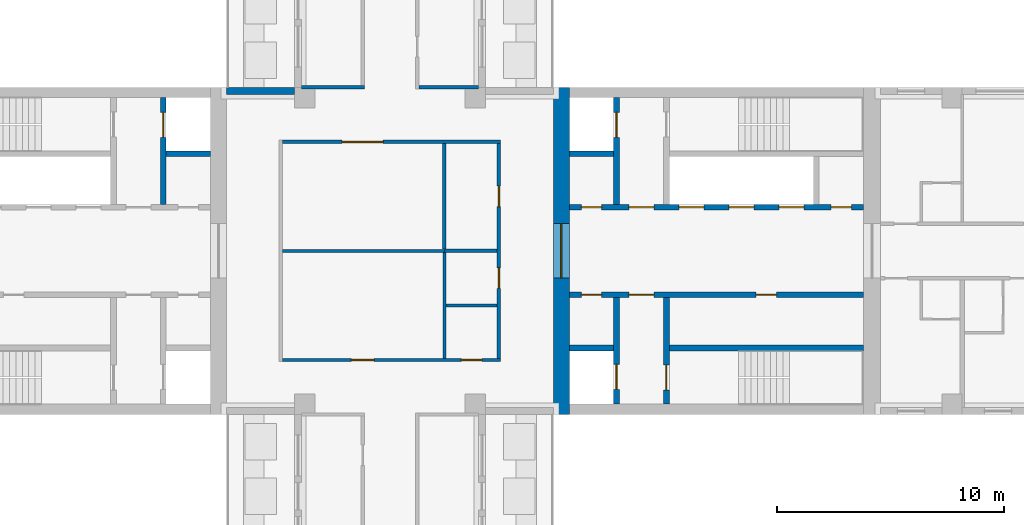
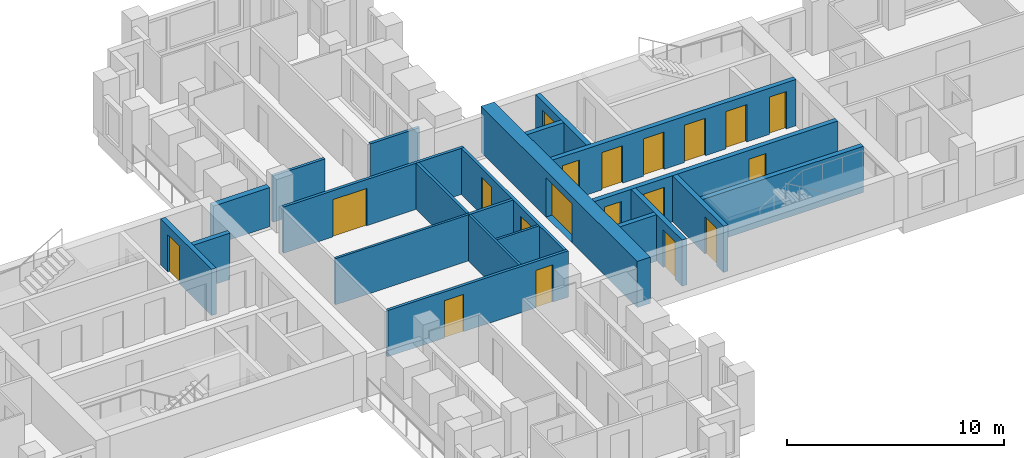
# One storey, part 6 of 12: 22 walls, 19 doors, 19 openings.
"""IFC4 building model written with IfcOpenShell, lengths in metres."""

from ifc_helpers import new_model, si_unit, direction, frame, frame_2d, origin, place, context, subcontext, project, spatial, rectangle, extrude, material, layer, layer_set, type_object, element, fill, save


model = new_model("IFC4")

# Units and contexts
model_context = context("Model", 3, precision=1e-05, world=origin(), true_north=direction((0.0, 1.0)))
body_context = subcontext(model_context, "Body", "Model", "MODEL_VIEW")
ifc_project = project(units=[si_unit("LENGTHUNIT", "METRE"), si_unit("AREAUNIT", "SQUARE_METRE"), si_unit("VOLUMEUNIT", "CUBIC_METRE"), si_unit("PLANEANGLEUNIT", "RADIAN"), si_unit("MASSUNIT", "GRAM", prefix="KILO")], contexts=[model_context])

# Site, building, storey
site_placement = place(None, origin())
site = spatial("IfcSite", under=ifc_project, at=site_placement, CompositionType="ELEMENT")
building_placement = place(site_placement, origin())
building = spatial("IfcBuilding", under=site, at=building_placement, Name="Fustian Cross Tower", CompositionType="ELEMENT")
storey_placement = place(building_placement, frame((0.0, 0.0, 132.300048828125)))
storey = spatial("IfcBuildingStorey", under=building, at=storey_placement, Name="L41", CompositionType="ELEMENT", Elevation=132.300048828125)

# Wall, openings, doors
ifc_material_1 = material(Name="Plasterboard on steel stud", Category="steel")
ifc_layer_1 = layer(ifc_material_1, 0.14990234375)
ifc_layer_set_1 = layer_set([ifc_layer_1], Name="Plasterboard on steel stud")
wall_type_1 = type_object("IfcWallType", Name="COMPARTMENT WALL 150 EI 60", PredefinedType="PARTITIONING", material=ifc_layer_set_1)
wall_1_placement = place(storey_placement, frame((-4.72509765625, -4.800048828125, 0.0), z_axis=(0.0, 0.0, 1.0), x_axis=(1.0, 0.0, 0.0)))
wall_1 = element("IfcWall", 1, at=wall_1_placement, inside=storey, type_object=wall_type_1, Name="Partition 17", PredefinedType="PARTITIONING", context=body_context, shape_type="SweptSolid", body=[
    extrude(rectangle(XDim=9.60009765625, YDim=0.14990234375, at=frame_2d((4.800048828125, 0.0))), origin(), (0.0, 0.0, 1.0), 2.599853515625),
])
opening_1_placement = place(wall_1_placement, frame((7.875, 0.0, 0.0)))
opening_1 = element("IfcOpeningElement", 2, at=opening_1_placement, cuts=wall_1, Name="Opening D19001", PredefinedType="OPENING", context=body_context, shape_type="SweptSolid", body=[
    extrude(rectangle(XDim=0.89990234375, YDim=2.10009765625, at=frame_2d((0.449951171875, 1.050048828125))), frame((0.0, 0.0849609375, 0.0), z_axis=(0.0, -1.0, 0.0), x_axis=(1.0, 0.0, 0.0)), (0.0, 0.0, 1.0), 0.169921875),
])
opening_2_placement = place(wall_1_placement, frame((3.02490234375, 0.0, 0.0)))
opening_2 = element("IfcOpeningElement", 3, at=opening_2_placement, cuts=wall_1, Name="Opening D19004", PredefinedType="OPENING", context=body_context, shape_type="SweptSolid", body=[
    extrude(rectangle(XDim=1.0, YDim=2.10009765625, at=frame_2d((0.5, 1.050048828125))), frame((0.0, 0.0849609375, 0.0), z_axis=(0.0, -1.0, 0.0), x_axis=(1.0, 0.0, 0.0)), (0.0, 0.0, 1.0), 0.169921875),
])
ifc_material_2 = material(Name="Timber fire door set", Category="wood")
door_type_1 = type_object("IfcDoorType", Name="FIRE SWING DOOR 1000 FD30S", OperationType="SINGLE_SWING_LEFT", PredefinedType="DOOR", material=ifc_material_2)
door_1_placement = place(opening_2_placement, origin())
door_1 = element("IfcDoor", 4, at=door_1_placement, inside=storey, type_object=door_type_1, Name="Door D19004", OperationType="SINGLE_SWING_LEFT", OverallHeight=2.10009765625, OverallWidth=1.0, PredefinedType="DOOR", context=body_context, shape_type="SweptSolid", body=[
    extrude(rectangle(XDim=1.0, YDim=2.10009765625, at=frame_2d((0.5, 1.050048828125))), frame((0.0, 0.02490234375, 0.0), z_axis=(0.0, -1.0, 0.0), x_axis=(1.0, 0.0, 0.0)), (0.0, 0.0, 1.0), 0.050048828125),
])
fill(opening_2, door_1)
ifc_material_3 = material(Name="Timber fire door set", Category="wood")
door_type_2 = type_object("IfcDoorType", Name="FIRE SWING DOOR 900 FD30S", OperationType="SINGLE_SWING_LEFT", PredefinedType="DOOR", material=ifc_material_3)
door_2_placement = place(opening_1_placement, origin())
door_2 = element("IfcDoor", 5, at=door_2_placement, inside=storey, type_object=door_type_2, Name="Door D19001", OperationType="SINGLE_SWING_LEFT", OverallHeight=2.10009765625, OverallWidth=0.89990234375, PredefinedType="DOOR", context=body_context, shape_type="SweptSolid", body=[
    extrude(rectangle(XDim=0.89990234375, YDim=2.10009765625, at=frame_2d((0.449951171875, 1.050048828125))), frame((0.0, 0.02490234375, 0.0), z_axis=(0.0, -1.0, 0.0), x_axis=(1.0, 0.0, 0.0)), (0.0, 0.0, 1.0), 0.050048828125),
])
fill(opening_1, door_2)

# Wall, opening, door
wall_2_placement = place(storey_placement, frame((-4.72509765625, 4.800048828125, 0.0), z_axis=(0.0, 0.0, 1.0), x_axis=(1.0, 0.0, 0.0)))
wall_2 = element("IfcWall", 6, at=wall_2_placement, inside=storey, type_object=wall_type_1, Name="Partition 19", PredefinedType="PARTITIONING", context=body_context, shape_type="SweptSolid", body=[
    extrude(rectangle(XDim=9.60009765625, YDim=0.14990234375, at=frame_2d((4.800048828125, 0.0))), origin(), (0.0, 0.0, 1.0), 2.599853515625),
])
opening_3_placement = place(wall_2_placement, frame((2.625, 0.0, 0.0)))
opening_3 = element("IfcOpeningElement", 7, at=opening_3_placement, cuts=wall_2, Name="Opening D19005", PredefinedType="OPENING", context=body_context, shape_type="SweptSolid", body=[
    extrude(rectangle(XDim=1.800048828125, YDim=2.10009765625, at=frame_2d((0.89990234375, 1.050048828125))), frame((0.0, 0.0849609375, 0.0), z_axis=(0.0, -1.0, 0.0), x_axis=(1.0, 0.0, 0.0)), (0.0, 0.0, 1.0), 0.169921875),
])
ifc_material_4 = material(Name="Timber fire door set", Category="wood")
door_type_3 = type_object("IfcDoorType", Name="FIRE DOUBLE DOOR 1800 FD30S", OperationType="DOUBLE_DOOR_DOUBLE_SWING", PredefinedType="DOOR", material=ifc_material_4)
door_3_placement = place(opening_3_placement, origin())
door_3 = element("IfcDoor", 8, at=door_3_placement, inside=storey, type_object=door_type_3, Name="Door D19005", OperationType="DOUBLE_DOOR_DOUBLE_SWING", OverallHeight=2.10009765625, OverallWidth=1.800048828125, PredefinedType="DOOR", context=body_context, shape_type="SweptSolid", body=[
    extrude(rectangle(XDim=1.800048828125, YDim=2.10009765625, at=frame_2d((0.89990234375, 1.050048828125))), frame((0.0, 0.02490234375, 0.0), z_axis=(0.0, -1.0, 0.0), x_axis=(1.0, 0.0, 0.0)), (0.0, 0.0, 1.0), 0.050048828125),
])
fill(opening_3, door_3)

# Walls
wall_3_placement = place(storey_placement, frame((-3.89990234375, 7.199951171875, 0.0), z_axis=(0.0, 0.0, 1.0), x_axis=(1.0, 0.0, 0.0)))
element("IfcWall", 9, at=wall_3_placement, inside=storey, type_object=wall_type_1, Name="Partition 22", PredefinedType="PARTITIONING", context=body_context, shape_type="SweptSolid", body=[
    extrude(rectangle(XDim=2.77490234375, YDim=0.14990234375, at=frame_2d((1.387451171875, 0.0))), origin(), (0.0, 0.0, 1.0), 2.599853515625),
])
wall_4_placement = place(storey_placement, frame((1.27490234375, 7.199951171875, 0.0), z_axis=(0.0, 0.0, 1.0), x_axis=(1.0, 0.0, 0.0)))
element("IfcWall", 10, at=wall_4_placement, inside=storey, type_object=wall_type_1, Name="Partition 39", PredefinedType="PARTITIONING", context=body_context, shape_type="SweptSolid", body=[
    extrude(rectangle(XDim=2.625, YDim=0.14990234375, at=frame_2d((1.3125, 0.0))), origin(), (0.0, 0.0, 1.0), 2.599853515625),
])
wall_5_placement = place(storey_placement, frame((2.39990234375, 0.074951171875, 0.0), z_axis=(0.0, 0.0, 1.0), x_axis=(0.0, 1.0, 0.0)))
element("IfcWall", 11, at=wall_5_placement, inside=storey, type_object=wall_type_1, Name="Partition 44", PredefinedType="PARTITIONING", context=body_context, shape_type="SweptSolid", body=[
    extrude(rectangle(XDim=4.650146484375, YDim=0.14990234375, at=frame_2d((2.3251953125, 0.0))), origin(), (0.0, 0.0, 1.0), 2.599853515625),
])
wall_6_placement = place(storey_placement, frame((2.39990234375, 0.0, 0.0), z_axis=(0.0, 0.0, 1.0), x_axis=(1.0, 0.0, 0.0)))
element("IfcWall", 12, at=wall_6_placement, inside=storey, type_object=wall_type_1, Name="Partition 45", PredefinedType="PARTITIONING", context=body_context, shape_type="SweptSolid", body=[
    extrude(rectangle(XDim=2.3251953125, YDim=0.14990234375, at=frame_2d((1.16259765625, 0.0))), origin(), (0.0, 0.0, 1.0), 2.599853515625),
])

# Wall, openings, doors
wall_7_placement = place(storey_placement, frame((4.800048828125, -4.72509765625, 0.0), z_axis=(0.0, 0.0, 1.0), x_axis=(0.0, 1.0, 0.0)))
wall_7 = element("IfcWall", 13, at=wall_7_placement, inside=storey, type_object=wall_type_1, Name="Partition 48", PredefinedType="PARTITIONING", context=body_context, shape_type="SweptSolid", body=[
    extrude(rectangle(XDim=9.4501953125, YDim=0.14990234375, at=frame_2d((4.72509765625, 0.0))), origin(), (0.0, 0.0, 1.0), 2.599853515625),
])
opening_4_placement = place(wall_7_placement, frame((3.074951171875, 0.0, 0.0)))
opening_4 = element("IfcOpeningElement", 14, at=opening_4_placement, cuts=wall_7, Name="Opening D19002", PredefinedType="OPENING", context=body_context, shape_type="SweptSolid", body=[
    extrude(rectangle(XDim=0.89990234375, YDim=2.10009765625, at=frame_2d((0.449951171875, 1.050048828125))), frame((0.0, 0.0849609375, 0.0), z_axis=(0.0, -1.0, 0.0), x_axis=(1.0, 0.0, 0.0)), (0.0, 0.0, 1.0), 0.169921875),
])
opening_5_placement = place(wall_7_placement, frame((6.675048828125, 0.0, 0.0)))
opening_5 = element("IfcOpeningElement", 15, at=opening_5_placement, cuts=wall_7, Name="Opening D19003", PredefinedType="OPENING", context=body_context, shape_type="SweptSolid", body=[
    extrude(rectangle(XDim=0.89990234375, YDim=2.10009765625, at=frame_2d((0.449951171875, 1.050048828125))), frame((0.0, 0.0849609375, 0.0), z_axis=(0.0, -1.0, 0.0), x_axis=(1.0, 0.0, 0.0)), (0.0, 0.0, 1.0), 0.169921875),
])
door_4_placement = place(opening_4_placement, origin())
door_4 = element("IfcDoor", 16, at=door_4_placement, inside=storey, type_object=door_type_2, Name="Door D19002", OperationType="SINGLE_SWING_LEFT", OverallHeight=2.10009765625, OverallWidth=0.89990234375, PredefinedType="DOOR", context=body_context, shape_type="SweptSolid", body=[
    extrude(rectangle(XDim=0.89990234375, YDim=2.10009765625, at=frame_2d((0.449951171875, 1.050048828125))), frame((0.0, 0.02490234375, 0.0), z_axis=(0.0, -1.0, 0.0), x_axis=(1.0, 0.0, 0.0)), (0.0, 0.0, 1.0), 0.050048828125),
])
fill(opening_4, door_4)
door_5_placement = place(opening_5_placement, origin())
door_5 = element("IfcDoor", 17, at=door_5_placement, inside=storey, type_object=door_type_2, Name="Door D19003", OperationType="SINGLE_SWING_LEFT", OverallHeight=2.10009765625, OverallWidth=0.89990234375, PredefinedType="DOOR", context=body_context, shape_type="SweptSolid", body=[
    extrude(rectangle(XDim=0.89990234375, YDim=2.10009765625, at=frame_2d((0.449951171875, 1.050048828125))), frame((0.0, 0.02490234375, 0.0), z_axis=(0.0, -1.0, 0.0), x_axis=(1.0, 0.0, 0.0)), (0.0, 0.0, 1.0), 0.050048828125),
])
fill(opening_5, door_5)

# Wall, opening, door
ifc_material_5 = material(Name="Concrete C60/75", Category="concrete")
ifc_layer_2 = layer(ifc_material_5, 0.699951171875)
ifc_layer_set_2 = layer_set([ifc_layer_2], Name="Concrete C60/75")
wall_type_2 = type_object("IfcWallType", Name="CORE END WALL 700 C60/75", PredefinedType="SHEAR", material=ifc_layer_set_2)
wall_8_placement = place(storey_placement, frame((7.550048828125, -7.199951171875, 0.0), z_axis=(0.0, 0.0, 1.0), x_axis=(0.0, 1.0, 0.0)))
wall_8 = element("IfcWall", 18, at=wall_8_placement, inside=storey, type_object=wall_type_2, Name="Core end wall", PredefinedType="SHEAR", context=body_context, shape_type="SweptSolid", body=[
    extrude(rectangle(XDim=14.39990234375, YDim=0.699951171875, at=frame_2d((7.199951171875, 0.0))), origin(), (0.0, 0.0, 1.0), 2.599853515625),
])
opening_6_placement = place(wall_8_placement, frame((6.0, 0.0, 0.0)))
opening_6 = element("IfcOpeningElement", 19, at=opening_6_placement, cuts=wall_8, Name="Opening CD-17-12", PredefinedType="OPENING", context=body_context, shape_type="SweptSolid", body=[
    extrude(rectangle(XDim=2.39990234375, YDim=2.199951171875, at=frame_2d((1.199951171875, 1.10009765625))), frame((0.0, 0.35986328125, 0.0), z_axis=(0.0, -1.0, 0.0), x_axis=(1.0, 0.0, 0.0)), (0.0, 0.0, 1.0), 0.719970703125),
])
ifc_material_6 = material(Name="Steel", Category="steel")
door_type_4 = type_object("IfcDoorType", Name="FIRE DOOR FD30S DOUBLE 2400X2200", OperationType="DOUBLE_DOOR_DOUBLE_SWING", PredefinedType="DOOR", material=ifc_material_6)
door_6_placement = place(opening_6_placement, origin())
door_6 = element("IfcDoor", 20, at=door_6_placement, inside=storey, type_object=door_type_4, Name="Core door CD-17-12", OperationType="DOUBLE_DOOR_DOUBLE_SWING", OverallHeight=2.199951171875, OverallWidth=2.39990234375, PredefinedType="DOOR", context=body_context, shape_type="SweptSolid", body=[
    extrude(rectangle(XDim=2.39990234375, YDim=2.199951171875, at=frame_2d((1.199951171875, 1.10009765625))), frame((0.0, 0.02490234375, 0.0), z_axis=(0.0, -1.0, 0.0), x_axis=(1.0, 0.0, 0.0)), (0.0, 0.0, 1.0), 0.050048828125),
])
fill(opening_6, door_6)

# Wall, openings, doors
ifc_material_7 = material(Name="Concrete C50/60", Category="concrete")
ifc_layer_3 = layer(ifc_material_7, 0.25)
ifc_layer_set_3 = layer_set([ifc_layer_3], Name="Concrete C50/60")
wall_type_3 = type_object("IfcWallType", Name="CORE LOBBY WALL 250 C50/60", PredefinedType="SHEAR", material=ifc_layer_set_3)
wall_9_placement = place(storey_placement, frame((7.89990234375, 1.925048828125, 0.0), z_axis=(0.0, 0.0, 1.0), x_axis=(1.0, 0.0, 0.0)))
wall_9 = element("IfcWall", 21, at=wall_9_placement, inside=storey, type_object=wall_type_3, Name="Core lobby wall", PredefinedType="SHEAR", context=body_context, shape_type="SweptSolid", body=[
    extrude(rectangle(XDim=12.9501953125, YDim=0.25, at=frame_2d((6.47509765625, 0.0))), origin(), (0.0, 0.0, 1.0), 2.599853515625),
])
opening_7_placement = place(wall_9_placement, frame((4.824951171875, 0.0, 0.0)))
opening_7 = element("IfcOpeningElement", 22, at=opening_7_placement, cuts=wall_9, Name="Opening LD", PredefinedType="OPENING", context=body_context, shape_type="SweptSolid", body=[
    extrude(rectangle(XDim=1.10009765625, YDim=2.10009765625, at=frame_2d((0.550048828125, 1.050048828125))), frame((0.0, 0.135009765625, 0.0), z_axis=(0.0, -1.0, 0.0), x_axis=(1.0, 0.0, 0.0)), (0.0, 0.0, 1.0), 0.27001953125),
])
opening_8_placement = place(wall_9_placement, frame((7.02490234375, 0.0, 0.0)))
opening_8 = element("IfcOpeningElement", 23, at=opening_8_placement, cuts=wall_9, Name="Opening LD", PredefinedType="OPENING", context=body_context, shape_type="SweptSolid", body=[
    extrude(rectangle(XDim=1.10009765625, YDim=2.10009765625, at=frame_2d((0.550048828125, 1.050048828125))), frame((0.0, 0.135009765625, 0.0), z_axis=(0.0, -1.0, 0.0), x_axis=(1.0, 0.0, 0.0)), (0.0, 0.0, 1.0), 0.27001953125),
])
opening_9_placement = place(wall_9_placement, frame((9.22509765625, 0.0, 0.0)))
opening_9 = element("IfcOpeningElement", 24, at=opening_9_placement, cuts=wall_9, Name="Opening LD", PredefinedType="OPENING", context=body_context, shape_type="SweptSolid", body=[
    extrude(rectangle(XDim=1.10009765625, YDim=2.10009765625, at=frame_2d((0.550048828125, 1.050048828125))), frame((0.0, 0.135009765625, 0.0), z_axis=(0.0, -1.0, 0.0), x_axis=(1.0, 0.0, 0.0)), (0.0, 0.0, 1.0), 0.27001953125),
])
opening_10_placement = place(wall_9_placement, frame((0.52490234375, 0.0, 0.0)))
opening_10 = element("IfcOpeningElement", 25, at=opening_10_placement, cuts=wall_9, Name="Opening CD-17-08", PredefinedType="OPENING", context=body_context, shape_type="SweptSolid", body=[
    extrude(rectangle(XDim=0.89990234375, YDim=2.10009765625, at=frame_2d((0.449951171875, 1.050048828125))), frame((0.0, 0.135009765625, 0.0), z_axis=(0.0, -1.0, 0.0), x_axis=(1.0, 0.0, 0.0)), (0.0, 0.0, 1.0), 0.27001953125),
])
opening_11_placement = place(wall_9_placement, frame((2.625, 0.0, 0.0)))
opening_11 = element("IfcOpeningElement", 26, at=opening_11_placement, cuts=wall_9, Name="Opening CD-17-10", PredefinedType="OPENING", context=body_context, shape_type="SweptSolid", body=[
    extrude(rectangle(XDim=1.10009765625, YDim=2.10009765625, at=frame_2d((0.550048828125, 1.050048828125))), frame((0.0, 0.135009765625, 0.0), z_axis=(0.0, -1.0, 0.0), x_axis=(1.0, 0.0, 0.0)), (0.0, 0.0, 1.0), 0.27001953125),
])
opening_12_placement = place(wall_9_placement, frame((11.52490234375, 0.0, 0.0)))
opening_12 = element("IfcOpeningElement", 27, at=opening_12_placement, cuts=wall_9, Name="Opening CD-17-14", PredefinedType="OPENING", context=body_context, shape_type="SweptSolid", body=[
    extrude(rectangle(XDim=0.89990234375, YDim=2.10009765625, at=frame_2d((0.449951171875, 1.050048828125))), frame((0.0, 0.135009765625, 0.0), z_axis=(0.0, -1.0, 0.0), x_axis=(1.0, 0.0, 0.0)), (0.0, 0.0, 1.0), 0.27001953125),
])
ifc_material_8 = material(Name="Steel", Category="steel")
door_type_5 = type_object("IfcDoorType", Name="FIRE DOOR FD30S 900X2100", OperationType="SINGLE_SWING_LEFT", PredefinedType="DOOR", material=ifc_material_8)
door_7_placement = place(opening_12_placement, origin())
door_7 = element("IfcDoor", 28, at=door_7_placement, inside=storey, type_object=door_type_5, Name="Core door CD-17-14", OperationType="SINGLE_SWING_LEFT", OverallHeight=2.10009765625, OverallWidth=0.89990234375, PredefinedType="DOOR", context=body_context, shape_type="SweptSolid", body=[
    extrude(rectangle(XDim=0.89990234375, YDim=2.10009765625, at=frame_2d((0.449951171875, 1.050048828125))), frame((0.0, 0.02490234375, 0.0), z_axis=(0.0, -1.0, 0.0), x_axis=(1.0, 0.0, 0.0)), (0.0, 0.0, 1.0), 0.050048828125),
])
fill(opening_12, door_7)
ifc_material_9 = material(Name="Steel", Category="steel")
door_type_6 = type_object("IfcDoorType", Name="FIRE DOOR FD60S 1100X2100", OperationType="SINGLE_SWING_LEFT", PredefinedType="DOOR", material=ifc_material_9)
door_8_placement = place(opening_11_placement, frame((1.10009765625, 0.0, 0.0), z_axis=(0.0, 0.0, 1.0), x_axis=(-1.0, 0.0, 0.0)))
door_8 = element("IfcDoor", 29, at=door_8_placement, inside=storey, type_object=door_type_6, Name="Core door CD-17-10", OperationType="SINGLE_SWING_RIGHT", OverallHeight=2.10009765625, OverallWidth=1.10009765625, PredefinedType="DOOR", context=body_context, shape_type="SweptSolid", body=[
    extrude(rectangle(XDim=1.10009765625, YDim=2.10009765625, at=frame_2d((0.550048828125, 1.050048828125))), frame((0.0, 0.02490234375, 0.0), z_axis=(0.0, -1.0, 0.0), x_axis=(1.0, 0.0, 0.0)), (0.0, 0.0, 1.0), 0.050048828125),
])
fill(opening_11, door_8)
ifc_material_10 = material(Name="Steel", Category="steel")
door_type_7 = type_object("IfcDoorType", Name="FIRE DOOR FD60S 900X2100", OperationType="SINGLE_SWING_LEFT", PredefinedType="DOOR", material=ifc_material_10)
door_9_placement = place(opening_10_placement, origin())
door_9 = element("IfcDoor", 30, at=door_9_placement, inside=storey, type_object=door_type_7, Name="Core door CD-17-08", OperationType="SINGLE_SWING_LEFT", OverallHeight=2.10009765625, OverallWidth=0.89990234375, PredefinedType="DOOR", context=body_context, shape_type="SweptSolid", body=[
    extrude(rectangle(XDim=0.89990234375, YDim=2.10009765625, at=frame_2d((0.449951171875, 1.050048828125))), frame((0.0, 0.02490234375, 0.0), z_axis=(0.0, -1.0, 0.0), x_axis=(1.0, 0.0, 0.0)), (0.0, 0.0, 1.0), 0.050048828125),
])
fill(opening_10, door_9)
ifc_material_11 = material(Name="Stainless steel", Category="steel")
door_type_8 = type_object("IfcDoorType", Name="LIFT LANDING DOOR 1100X2100", OperationType="SLIDING_TO_LEFT", PredefinedType="DOOR", material=ifc_material_11)
door_10_placement = place(opening_7_placement, origin())
door_10 = element("IfcDoor", 31, at=door_10_placement, inside=storey, type_object=door_type_8, Name="Landing door HR1", OperationType="SLIDING_TO_LEFT", OverallHeight=2.10009765625, OverallWidth=1.10009765625, PredefinedType="DOOR", context=body_context, shape_type="SweptSolid", body=[
    extrude(rectangle(XDim=1.10009765625, YDim=2.10009765625, at=frame_2d((0.550048828125, 1.050048828125))), frame((0.0, 0.02490234375, 0.0), z_axis=(0.0, -1.0, 0.0), x_axis=(1.0, 0.0, 0.0)), (0.0, 0.0, 1.0), 0.050048828125),
])
fill(opening_7, door_10)
door_11_placement = place(opening_8_placement, origin())
door_11 = element("IfcDoor", 32, at=door_11_placement, inside=storey, type_object=door_type_8, Name="Landing door HR2", OperationType="SLIDING_TO_LEFT", OverallHeight=2.10009765625, OverallWidth=1.10009765625, PredefinedType="DOOR", context=body_context, shape_type="SweptSolid", body=[
    extrude(rectangle(XDim=1.10009765625, YDim=2.10009765625, at=frame_2d((0.550048828125, 1.050048828125))), frame((0.0, 0.02490234375, 0.0), z_axis=(0.0, -1.0, 0.0), x_axis=(1.0, 0.0, 0.0)), (0.0, 0.0, 1.0), 0.050048828125),
])
fill(opening_8, door_11)
door_12_placement = place(opening_9_placement, origin())
door_12 = element("IfcDoor", 33, at=door_12_placement, inside=storey, type_object=door_type_8, Name="Landing door HR3", OperationType="SLIDING_TO_LEFT", OverallHeight=2.10009765625, OverallWidth=1.10009765625, PredefinedType="DOOR", context=body_context, shape_type="SweptSolid", body=[
    extrude(rectangle(XDim=1.10009765625, YDim=2.10009765625, at=frame_2d((0.550048828125, 1.050048828125))), frame((0.0, 0.02490234375, 0.0), z_axis=(0.0, -1.0, 0.0), x_axis=(1.0, 0.0, 0.0)), (0.0, 0.0, 1.0), 0.050048828125),
])
fill(opening_9, door_12)

wall_10_placement = place(storey_placement, frame((7.89990234375, -1.925048828125, 0.0), z_axis=(0.0, 0.0, 1.0), x_axis=(1.0, 0.0, 0.0)))
wall_10 = element("IfcWall", 34, at=wall_10_placement, inside=storey, type_object=wall_type_3, Name="Core lobby wall", PredefinedType="SHEAR", context=body_context, shape_type="SweptSolid", body=[
    extrude(rectangle(XDim=12.9501953125, YDim=0.25, at=frame_2d((6.47509765625, 0.0))), origin(), (0.0, 0.0, 1.0), 2.599853515625),
])
opening_13_placement = place(wall_10_placement, frame((0.52490234375, 0.0, 0.0)))
opening_13 = element("IfcOpeningElement", 35, at=opening_13_placement, cuts=wall_10, Name="Opening CD-17-09", PredefinedType="OPENING", context=body_context, shape_type="SweptSolid", body=[
    extrude(rectangle(XDim=0.89990234375, YDim=2.10009765625, at=frame_2d((0.449951171875, 1.050048828125))), frame((0.0, 0.135009765625, 0.0), z_axis=(0.0, -1.0, 0.0), x_axis=(1.0, 0.0, 0.0)), (0.0, 0.0, 1.0), 0.27001953125),
])
opening_14_placement = place(wall_10_placement, frame((2.625, 0.0, 0.0)))
opening_14 = element("IfcOpeningElement", 36, at=opening_14_placement, cuts=wall_10, Name="Opening CD-17-11", PredefinedType="OPENING", context=body_context, shape_type="SweptSolid", body=[
    extrude(rectangle(XDim=1.10009765625, YDim=2.10009765625, at=frame_2d((0.550048828125, 1.050048828125))), frame((0.0, 0.135009765625, 0.0), z_axis=(0.0, -1.0, 0.0), x_axis=(1.0, 0.0, 0.0)), (0.0, 0.0, 1.0), 0.27001953125),
])
opening_15_placement = place(wall_10_placement, frame((8.22509765625, 0.0, 0.0)))
opening_15 = element("IfcOpeningElement", 37, at=opening_15_placement, cuts=wall_10, Name="Opening CD-17-15", PredefinedType="OPENING", context=body_context, shape_type="SweptSolid", body=[
    extrude(rectangle(XDim=0.89990234375, YDim=2.10009765625, at=frame_2d((0.449951171875, 1.050048828125))), frame((0.0, 0.135009765625, 0.0), z_axis=(0.0, -1.0, 0.0), x_axis=(1.0, 0.0, 0.0)), (0.0, 0.0, 1.0), 0.27001953125),
])
ifc_material_12 = material(Name="Steel", Category="steel")
door_type_9 = type_object("IfcDoorType", Name="FIRE DOOR FD30S 1100X2100", OperationType="SINGLE_SWING_LEFT", PredefinedType="DOOR", material=ifc_material_12)
door_13_placement = place(opening_14_placement, frame((1.10009765625, 0.0, 0.0), z_axis=(0.0, 0.0, 1.0), x_axis=(-1.0, 0.0, 0.0)))
door_13 = element("IfcDoor", 38, at=door_13_placement, inside=storey, type_object=door_type_9, Name="Core door CD-17-11", OperationType="SINGLE_SWING_RIGHT", OverallHeight=2.10009765625, OverallWidth=1.10009765625, PredefinedType="DOOR", context=body_context, shape_type="SweptSolid", body=[
    extrude(rectangle(XDim=1.10009765625, YDim=2.10009765625, at=frame_2d((0.550048828125, 1.050048828125))), frame((0.0, 0.02490234375, 0.0), z_axis=(0.0, -1.0, 0.0), x_axis=(1.0, 0.0, 0.0)), (0.0, 0.0, 1.0), 0.050048828125),
])
fill(opening_14, door_13)
door_14_placement = place(opening_13_placement, frame((0.89990234375, 0.0, 0.0), z_axis=(0.0, 0.0, 1.0), x_axis=(-1.0, 0.0, 0.0)))
door_14 = element("IfcDoor", 39, at=door_14_placement, inside=storey, type_object=door_type_5, Name="Core door CD-17-09", OperationType="SINGLE_SWING_RIGHT", OverallHeight=2.10009765625, OverallWidth=0.89990234375, PredefinedType="DOOR", context=body_context, shape_type="SweptSolid", body=[
    extrude(rectangle(XDim=0.89990234375, YDim=2.10009765625, at=frame_2d((0.449951171875, 1.050048828125))), frame((0.0, 0.02490234375, 0.0), z_axis=(0.0, -1.0, 0.0), x_axis=(1.0, 0.0, 0.0)), (0.0, 0.0, 1.0), 0.050048828125),
])
fill(opening_13, door_14)
door_15_placement = place(opening_15_placement, frame((0.89990234375, 0.0, 0.0), z_axis=(0.0, 0.0, 1.0), x_axis=(-1.0, 0.0, 0.0)))
door_15 = element("IfcDoor", 40, at=door_15_placement, inside=storey, type_object=door_type_5, Name="Core door CD-17-15", OperationType="SINGLE_SWING_LEFT", OverallHeight=2.10009765625, OverallWidth=0.89990234375, PredefinedType="DOOR", context=body_context, shape_type="SweptSolid", body=[
    extrude(rectangle(XDim=0.89990234375, YDim=2.10009765625, at=frame_2d((0.449951171875, 1.050048828125))), frame((0.0, 0.02490234375, 0.0), z_axis=(0.0, -1.0, 0.0), x_axis=(1.0, 0.0, 0.0)), (0.0, 0.0, 1.0), 0.050048828125),
])
fill(opening_15, door_15)

# Wall
ifc_material_13 = material(Name="Concrete C50/60", Category="concrete")
ifc_layer_4 = layer(ifc_material_13, 0.25)
ifc_layer_set_4 = layer_set([ifc_layer_4], Name="Concrete C50/60")
wall_type_4 = type_object("IfcWallType", Name="CORE SHAFT WALL 250 C50/60", PredefinedType="SHEAR", material=ifc_layer_set_4)
wall_11_placement = place(storey_placement, frame((7.89990234375, 4.27490234375, 0.0), z_axis=(0.0, 0.0, 1.0), x_axis=(1.0, 0.0, 0.0)))
element("IfcWall", 41, at=wall_11_placement, inside=storey, type_object=wall_type_4, Name="Core shaft wall", PredefinedType="SHEAR", context=body_context, shape_type="SweptSolid", body=[
    extrude(rectangle(XDim=1.9501953125, YDim=0.25, at=frame_2d((0.97509765625, 0.0))), origin(), (0.0, 0.0, 1.0), 2.599853515625),
])

# Wall, opening, door
wall_12_placement = place(storey_placement, frame((9.97509765625, 2.050048828125, 0.0), z_axis=(0.0, 0.0, 1.0), x_axis=(0.0, 1.0, 0.0)))
wall_12 = element("IfcWall", 42, at=wall_12_placement, inside=storey, type_object=wall_type_4, Name="Core shaft wall", PredefinedType="SHEAR", context=body_context, shape_type="SweptSolid", body=[
    extrude(rectangle(XDim=4.699951171875, YDim=0.25, at=frame_2d((2.35009765625, 0.0))), origin(), (0.0, 0.0, 1.0), 2.599853515625),
])
opening_16_placement = place(wall_12_placement, frame((2.949951171875, 0.0, 0.0)))
opening_16 = element("IfcOpeningElement", 43, at=opening_16_placement, cuts=wall_12, Name="Opening LD", PredefinedType="OPENING", context=body_context, shape_type="SweptSolid", body=[
    extrude(rectangle(XDim=1.10009765625, YDim=2.10009765625, at=frame_2d((0.550048828125, 1.050048828125))), frame((0.0, 0.135009765625, 0.0), z_axis=(0.0, -1.0, 0.0), x_axis=(1.0, 0.0, 0.0)), (0.0, 0.0, 1.0), 0.27001953125),
])
door_16_placement = place(opening_16_placement, origin())
door_16 = element("IfcDoor", 44, at=door_16_placement, inside=storey, type_object=door_type_8, Name="Landing door FL1", OperationType="SLIDING_TO_LEFT", OverallHeight=2.10009765625, OverallWidth=1.10009765625, PredefinedType="DOOR", context=body_context, shape_type="SweptSolid", body=[
    extrude(rectangle(XDim=1.10009765625, YDim=2.10009765625, at=frame_2d((0.550048828125, 1.050048828125))), frame((0.0, 0.02490234375, 0.0), z_axis=(0.0, -1.0, 0.0), x_axis=(1.0, 0.0, 0.0)), (0.0, 0.0, 1.0), 0.050048828125),
])
fill(opening_16, door_16)

# Walls
wall_13_placement = place(storey_placement, frame((7.89990234375, -4.27490234375, 0.0), z_axis=(0.0, 0.0, 1.0), x_axis=(1.0, 0.0, 0.0)))
element("IfcWall", 45, at=wall_13_placement, inside=storey, type_object=wall_type_4, Name="Core shaft wall", PredefinedType="SHEAR", context=body_context, shape_type="SweptSolid", body=[
    extrude(rectangle(XDim=1.9501953125, YDim=0.25, at=frame_2d((0.97509765625, 0.0))), origin(), (0.0, 0.0, 1.0), 2.599853515625),
])
wall_14_placement = place(storey_placement, frame((12.300048828125, -4.27490234375, 0.0), z_axis=(0.0, 0.0, 1.0), x_axis=(1.0, 0.0, 0.0)))
element("IfcWall", 46, at=wall_14_placement, inside=storey, type_object=wall_type_4, Name="Core shaft wall", PredefinedType="SHEAR", context=body_context, shape_type="SweptSolid", body=[
    extrude(rectangle(XDim=8.550048828125, YDim=0.25, at=frame_2d((4.27490234375, 0.0))), origin(), (0.0, 0.0, 1.0), 2.599853515625),
])

# Wall, opening, door
wall_15_placement = place(storey_placement, frame((9.97509765625, -2.050048828125, 0.0), z_axis=(0.0, 0.0, 1.0), x_axis=(0.0, -1.0, 0.0)))
wall_15 = element("IfcWall", 47, at=wall_15_placement, inside=storey, type_object=wall_type_4, Name="Core shaft wall", PredefinedType="SHEAR", context=body_context, shape_type="SweptSolid", body=[
    extrude(rectangle(XDim=4.699951171875, YDim=0.25, at=frame_2d((2.35009765625, 0.0))), origin(), (0.0, 0.0, 1.0), 2.599853515625),
])
opening_17_placement = place(wall_15_placement, frame((2.949951171875, 0.0, 0.0)))
opening_17 = element("IfcOpeningElement", 48, at=opening_17_placement, cuts=wall_15, Name="Opening LD", PredefinedType="OPENING", context=body_context, shape_type="SweptSolid", body=[
    extrude(rectangle(XDim=1.10009765625, YDim=2.10009765625, at=frame_2d((0.550048828125, 1.050048828125))), frame((0.0, 0.135009765625, 0.0), z_axis=(0.0, -1.0, 0.0), x_axis=(1.0, 0.0, 0.0)), (0.0, 0.0, 1.0), 0.27001953125),
])
door_17_placement = place(opening_17_placement, origin())
door_17 = element("IfcDoor", 49, at=door_17_placement, inside=storey, type_object=door_type_8, Name="Landing door SV1", OperationType="SLIDING_TO_LEFT", OverallHeight=2.10009765625, OverallWidth=1.10009765625, PredefinedType="DOOR", context=body_context, shape_type="SweptSolid", body=[
    extrude(rectangle(XDim=1.10009765625, YDim=2.10009765625, at=frame_2d((0.550048828125, 1.050048828125))), frame((0.0, 0.02490234375, 0.0), z_axis=(0.0, -1.0, 0.0), x_axis=(1.0, 0.0, 0.0)), (0.0, 0.0, 1.0), 0.050048828125),
])
fill(opening_17, door_17)

wall_16_placement = place(storey_placement, frame((12.175048828125, -2.050048828125, 0.0), z_axis=(0.0, 0.0, 1.0), x_axis=(0.0, -1.0, 0.0)))
wall_16 = element("IfcWall", 50, at=wall_16_placement, inside=storey, type_object=wall_type_4, Name="Core shaft wall", PredefinedType="SHEAR", context=body_context, shape_type="SweptSolid", body=[
    extrude(rectangle(XDim=4.699951171875, YDim=0.25, at=frame_2d((2.35009765625, 0.0))), origin(), (0.0, 0.0, 1.0), 2.599853515625),
])
opening_18_placement = place(wall_16_placement, frame((2.97509765625, 0.0, 0.0)))
opening_18 = element("IfcOpeningElement", 51, at=opening_18_placement, cuts=wall_16, Name="Opening CD-17-07", PredefinedType="OPENING", context=body_context, shape_type="SweptSolid", body=[
    extrude(rectangle(XDim=1.10009765625, YDim=2.10009765625, at=frame_2d((0.550048828125, 1.050048828125))), frame((0.0, 0.135009765625, 0.0), z_axis=(0.0, -1.0, 0.0), x_axis=(1.0, 0.0, 0.0)), (0.0, 0.0, 1.0), 0.27001953125),
])
door_18_placement = place(opening_18_placement, origin())
door_18 = element("IfcDoor", 52, at=door_18_placement, inside=storey, type_object=door_type_6, Name="Core door CD-17-07", OperationType="SINGLE_SWING_LEFT", OverallHeight=2.10009765625, OverallWidth=1.10009765625, PredefinedType="DOOR", context=body_context, shape_type="SweptSolid", body=[
    extrude(rectangle(XDim=1.10009765625, YDim=2.10009765625, at=frame_2d((0.550048828125, 1.050048828125))), frame((0.0, 0.02490234375, 0.0), z_axis=(0.0, -1.0, 0.0), x_axis=(1.0, 0.0, 0.0)), (0.0, 0.0, 1.0), 0.050048828125),
])
fill(opening_18, door_18)

# Wall
wall_17_placement = place(storey_placement, frame((-7.89990234375, 4.27490234375, 0.0), z_axis=(0.0, 0.0, 1.0), x_axis=(-1.0, 0.0, 0.0)))
element("IfcWall", 53, at=wall_17_placement, inside=storey, type_object=wall_type_4, Name="Core shaft wall", PredefinedType="SHEAR", context=body_context, shape_type="SweptSolid", body=[
    extrude(rectangle(XDim=1.9501953125, YDim=0.25, at=frame_2d((0.97509765625, 0.0))), origin(), (0.0, 0.0, 1.0), 2.599853515625),
])

# Wall, opening, door
wall_18_placement = place(storey_placement, frame((-9.97509765625, 2.050048828125, 0.0), z_axis=(0.0, 0.0, 1.0), x_axis=(0.0, 1.0, 0.0)))
wall_18 = element("IfcWall", 54, at=wall_18_placement, inside=storey, type_object=wall_type_4, Name="Core shaft wall", PredefinedType="SHEAR", context=body_context, shape_type="SweptSolid", body=[
    extrude(rectangle(XDim=4.699951171875, YDim=0.25, at=frame_2d((2.35009765625, 0.0))), origin(), (0.0, 0.0, 1.0), 2.599853515625),
])
opening_19_placement = place(wall_18_placement, frame((2.949951171875, 0.0, 0.0)))
opening_19 = element("IfcOpeningElement", 55, at=opening_19_placement, cuts=wall_18, Name="Opening LD", PredefinedType="OPENING", context=body_context, shape_type="SweptSolid", body=[
    extrude(rectangle(XDim=1.10009765625, YDim=2.10009765625, at=frame_2d((0.550048828125, 1.050048828125))), frame((0.0, 0.135009765625, 0.0), z_axis=(0.0, -1.0, 0.0), x_axis=(1.0, 0.0, 0.0)), (0.0, 0.0, 1.0), 0.27001953125),
])
door_19_placement = place(opening_19_placement, origin())
door_19 = element("IfcDoor", 56, at=door_19_placement, inside=storey, type_object=door_type_8, Name="Landing door FL1W", OperationType="SLIDING_TO_LEFT", OverallHeight=2.10009765625, OverallWidth=1.10009765625, PredefinedType="DOOR", context=body_context, shape_type="SweptSolid", body=[
    extrude(rectangle(XDim=1.10009765625, YDim=2.10009765625, at=frame_2d((0.550048828125, 1.050048828125))), frame((0.0, 0.02490234375, 0.0), z_axis=(0.0, -1.0, 0.0), x_axis=(1.0, 0.0, 0.0)), (0.0, 0.0, 1.0), 0.050048828125),
])
fill(opening_19, door_19)

# Walls
ifc_material_14 = material(Name="Plasterboard on steel stud", Category="steel")
ifc_layer_5 = layer(ifc_material_14, 0.125)
ifc_layer_set_5 = layer_set([ifc_layer_5], Name="Plasterboard on steel stud")
wall_type_5 = type_object("IfcWallType", Name="WET WALL 125 STUD", PredefinedType="PARTITIONING", material=ifc_layer_set_5)
wall_19_placement = place(storey_placement, frame((-4.72509765625, 0.0, 0.0), z_axis=(0.0, 0.0, 1.0), x_axis=(1.0, 0.0, 0.0)))
element("IfcWall", 57, at=wall_19_placement, inside=storey, type_object=wall_type_5, Name="Partition 18", PredefinedType="PARTITIONING", context=body_context, shape_type="SweptSolid", body=[
    extrude(rectangle(XDim=7.125, YDim=0.125, at=frame_2d((3.5625, 0.0))), origin(), (0.0, 0.0, 1.0), 2.599853515625),
])
wall_20_placement = place(storey_placement, frame((2.39990234375, -4.72509765625, 0.0), z_axis=(0.0, 0.0, 1.0), x_axis=(0.0, 1.0, 0.0)))
element("IfcWall", 58, at=wall_20_placement, inside=storey, type_object=wall_type_5, Name="Partition 42", PredefinedType="PARTITIONING", context=body_context, shape_type="SweptSolid", body=[
    extrude(rectangle(XDim=4.650146484375, YDim=0.125, at=frame_2d((2.3251953125, 0.0))), origin(), (0.0, 0.0, 1.0), 2.599853515625),
])
wall_21_placement = place(storey_placement, frame((2.46240234375, -2.39990234375, 0.0), z_axis=(0.0, 0.0, 1.0), x_axis=(1.0, 0.0, 0.0)))
element("IfcWall", 59, at=wall_21_placement, inside=storey, type_object=wall_type_5, Name="Partition 43", PredefinedType="PARTITIONING", context=body_context, shape_type="SweptSolid", body=[
    extrude(rectangle(XDim=2.2626953125, YDim=0.125, at=frame_2d((1.13134765625, 0.0))), origin(), (0.0, 0.0, 1.0), 2.599853515625),
])
ifc_material_15 = material(Name="Dark aluminium cladding on insulated backing wall", Category="aluminium")
ifc_layer_6 = layer(ifc_material_15, 0.300048828125)
ifc_layer_set_6 = layer_set([ifc_layer_6], Name="Dark aluminium cladding on insulated backing wall")
wall_type_6 = type_object("IfcWallType", Name="XW1 EXTERNAL WALL 300", PredefinedType="SOLIDWALL", material=ifc_layer_set_6)
wall_22_placement = place(storey_placement, frame((-4.199951171875, 7.050048828125, 0.0), z_axis=(0.0, 0.0, 1.0), x_axis=(-1.0, 0.0, 0.0)))
element("IfcWall", 60, at=wall_22_placement, inside=storey, type_object=wall_type_6, Name="External wall", PredefinedType="SOLIDWALL", context=body_context, shape_type="SweptSolid", body=[
    extrude(rectangle(XDim=3.0, YDim=0.300048828125, at=frame_2d((1.5, 0.0))), origin(), (0.0, 0.0, 1.0), 2.199951171875),
])

save(model, "model.ifc")
